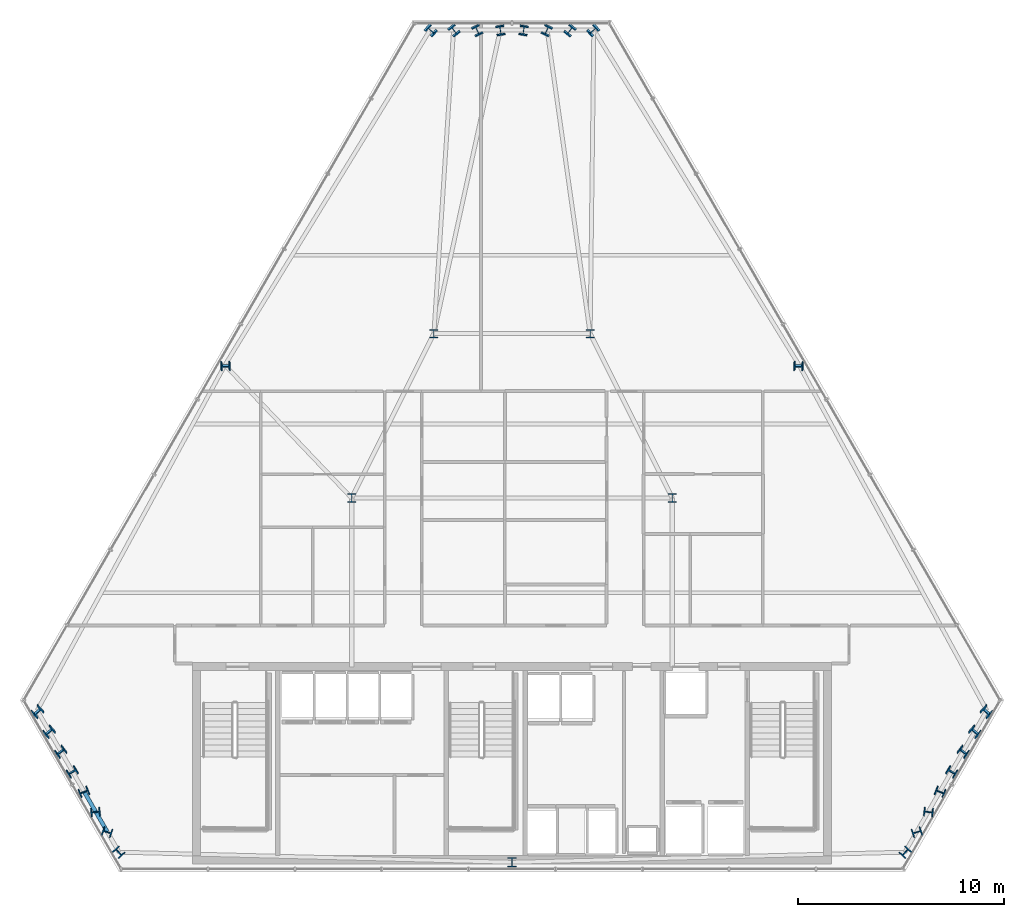
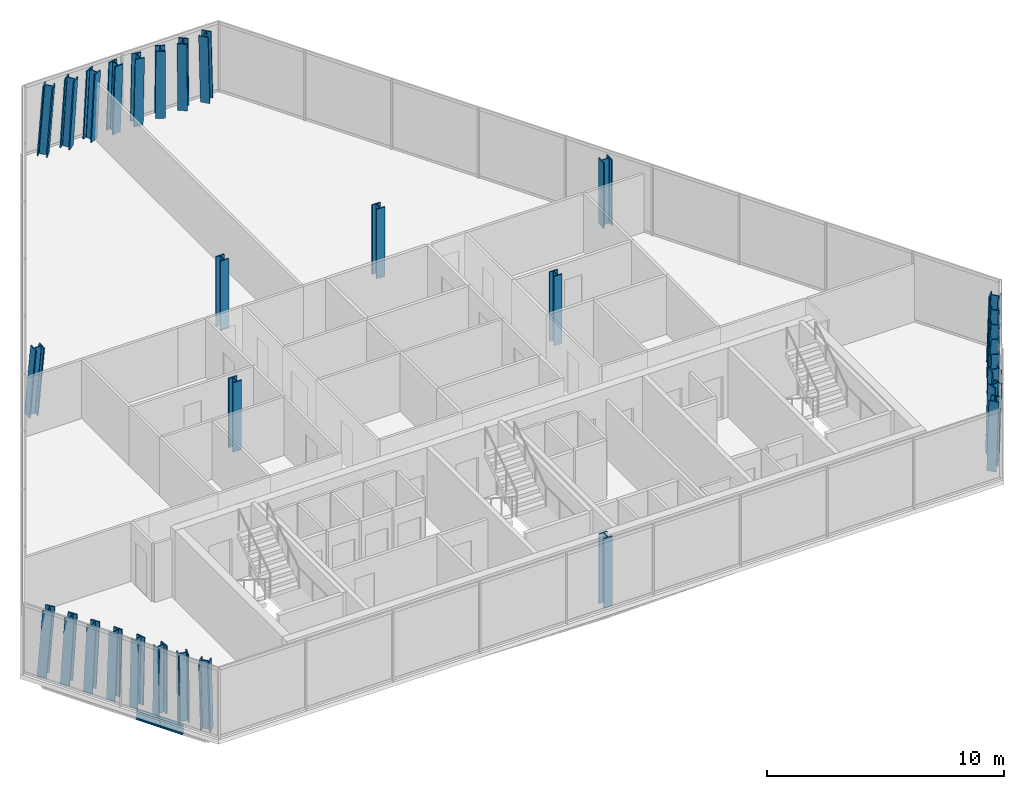
# One storey, part 1 of 33: 31 columns, 2 beams.
"""IFC4 building model written with IfcOpenShell, lengths in metres."""

from ifc_helpers import new_model, si_unit, direction, frame, origin, origin_2d, place, context, subcontext, project, spatial, i_section, extrude, material, material_profile, profile_set, type_object, element, save


model = new_model("IFC4")

# Units and contexts
model_context = context("Model", 3, precision=1e-05, world=origin(), true_north=direction((0.0, 1.0)))
body_context = subcontext(model_context, "Body", "Model", "MODEL_VIEW")
ifc_project = project(units=[si_unit("LENGTHUNIT", "METRE"), si_unit("AREAUNIT", "SQUARE_METRE"), si_unit("VOLUMEUNIT", "CUBIC_METRE"), si_unit("PLANEANGLEUNIT", "RADIAN"), si_unit("MASSUNIT", "GRAM", prefix="KILO")], contexts=[model_context])

# Site, building, storey
site_placement = place(None, origin())
site = spatial("IfcSite", under=ifc_project, at=site_placement, CompositionType="ELEMENT")
building_placement = place(site_placement, origin())
building = spatial("IfcBuilding", under=site, at=building_placement, Name="Ndaravel Arena Tower", CompositionType="ELEMENT")
storey_placement = place(building_placement, frame((0.0, 0.0, 187.800048828125)))
storey = spatial("IfcBuildingStorey", under=building, at=storey_placement, Name="L45", CompositionType="ELEMENT", Elevation=187.800048828125)

# Columns
ifc_material_1 = material(Name="Steel S355", Category="steel")
ifc_material_profile_1 = material_profile(ifc_material_1, i_section(OverallWidth=0.406982421875, OverallDepth=0.4189453125, WebThickness=0.030517578125, FlangeThickness=0.04931640625, FilletRadius=0.01513671875, at=origin_2d()), Name="UC 356x406x393")
ifc_profile_set_1 = profile_set([ifc_material_profile_1], Name="Steel S355")
column_type_1 = type_object("IfcColumnType", Name="COL-INT-UC393", PredefinedType="COLUMN", material=ifc_profile_set_1)
for number, where, z_axis, x_axis, name in (
    (1, (34.199951171875, 23.199951171875, 0.0), (0.0, 0.0, 1.0), (1.0, 0.0, 0.0), "L45 Interior Spine Column IC-01"),
    (2, (49.800048828125, 23.199951171875, 0.0), (0.0, 0.0, 1.0), (1.0, 0.0, 0.0), "L45 Interior Spine Column IC-02"),
    (3, (38.199951171875, 31.199951171875, 0.0), (0.0, 0.0, 1.0), (1.0, 0.0, 0.0), "L45 Interior Spine Column IC-03"),
    (4, (45.800048828125, 31.199951171875, 0.0), (0.0, 0.0, 1.0), (1.0, 0.0, 0.0), "L45 Interior Spine Column IC-04"),
):
    element("IfcColumn", number, at=place(storey_placement, frame(where, z_axis=z_axis, x_axis=x_axis)), inside=storey, type_object=column_type_1, Name=name, PredefinedType="COLUMN", context=body_context, shape_type="SweptSolid", body=[
        extrude(i_section(OverallWidth=0.406982421875, OverallDepth=0.4189453125, WebThickness=0.030517578125, FlangeThickness=0.04931640625, FilletRadius=0.01513671875, at=origin_2d()), origin(), (0.0, 0.0, 1.0), 3.579833984375),
    ])
ifc_material_2 = material(Name="Steel S355", Category="steel")
ifc_material_profile_2 = material_profile(ifc_material_2, i_section(OverallWidth=0.41796875, OverallDepth=0.455078125, WebThickness=0.0419921875, FlangeThickness=0.052001953125, FilletRadius=0.014892578125, at=origin_2d()), Name="HD 400x551")
ifc_profile_set_2 = profile_set([ifc_material_profile_2], Name="Steel S355")
column_type_2 = type_object("IfcColumnType", Name="COL-TUBE-HD551", PredefinedType="COLUMN", material=ifc_profile_set_2)
column_1_placement = place(storey_placement, frame((42.0, 5.47998046875, 0.0), z_axis=(0.0, 0.0, 1.0), x_axis=(1.0, 0.0, 0.0)))
element("IfcColumn", 5, at=column_1_placement, inside=storey, type_object=column_type_2, Name="L45 Framed Tube Column TC-01", PredefinedType="COLUMN", context=body_context, shape_type="SweptSolid", body=[
    extrude(i_section(OverallWidth=0.41796875, OverallDepth=0.455078125, WebThickness=0.0419921875, FlangeThickness=0.052001953125, FilletRadius=0.014892578125, at=origin_2d()), origin(), (0.0, 0.0, 1.0), 3.579833984375),
])
for number, where, z_axis, x_axis, name in (
    (6, (61.113525390625, 5.972412109375, 0.0), (0.028358748226, -0.00633981631, 0.999577704898), (-0.735720059053, 0.676818059602, 0.025165629415), "L45 Framed Tube Column TC-02"),
    (7, (61.68212890625, 6.95751953125, 0.0), (0.020996765348, -0.019156139814, 0.999596007471), (-0.302521060593, 0.952824822049, 0.024614353247), "L45 Framed Tube Column TC-03"),
):
    element("IfcColumn", number, at=place(storey_placement, frame(where, z_axis=z_axis, x_axis=x_axis)), inside=storey, type_object=column_type_2, Name=name, PredefinedType="COLUMN", context=body_context, shape_type="SweptSolid", body=[
        extrude(i_section(OverallWidth=0.41796875, OverallDepth=0.455078125, WebThickness=0.0419921875, FlangeThickness=0.052001953125, FilletRadius=0.014892578125, at=origin_2d()), origin(), (0.0, 0.0, 1.0), 3.581298828125),
    ])
column_2_placement = place(storey_placement, frame((62.250732421875, 7.9423828125, 0.0), z_axis=(0.01369970985, -0.031897831891, 0.999397241476), x_axis=(0.117866406238, 0.992574251622, 0.030064352595)))
element("IfcColumn", 8, at=column_2_placement, inside=storey, type_object=column_type_2, Name="L45 Framed Tube Column TC-04", PredefinedType="COLUMN", context=body_context, shape_type="SweptSolid", body=[
    extrude(i_section(OverallWidth=0.41796875, OverallDepth=0.455078125, WebThickness=0.0419921875, FlangeThickness=0.052001953125, FilletRadius=0.014892578125, at=origin_2d()), origin(), (0.0, 0.0, 1.0), 3.58203125),
])
column_3_placement = place(storey_placement, frame((62.8193359375, 8.92724609375, 0.0), z_axis=(0.006336048975, -0.04462486106, 0.998983721719), x_axis=(0.373417375277, 0.926841853304, 0.039033867422)))
element("IfcColumn", 9, at=column_3_placement, inside=storey, type_object=column_type_2, Name="L45 Framed Tube Column TC-05", PredefinedType="COLUMN", context=body_context, shape_type="SweptSolid", body=[
    extrude(i_section(OverallWidth=0.41796875, OverallDepth=0.455078125, WebThickness=0.0419921875, FlangeThickness=0.052001953125, FilletRadius=0.014892578125, at=origin_2d()), origin(), (0.0, 0.0, 1.0), 3.58349609375),
])
column_4_placement = place(storey_placement, frame((63.38818359375, 9.912109375, 0.0), z_axis=(-0.001089390867, -0.057261107429, 0.998358642374), x_axis=(0.516355625504, 0.854936753282, 0.049598547331)))
element("IfcColumn", 10, at=column_4_placement, inside=storey, type_object=column_type_2, Name="L45 Framed Tube Column TC-06", PredefinedType="COLUMN", context=body_context, shape_type="SweptSolid", body=[
    extrude(i_section(OverallWidth=0.41796875, OverallDepth=0.455078125, WebThickness=0.0419921875, FlangeThickness=0.052001953125, FilletRadius=0.014892578125, at=origin_2d()), origin(), (0.0, 0.0, 1.0), 3.585693359375),
])
column_5_placement = place(storey_placement, frame((63.956787109375, 10.897216796875, 0.0), z_axis=(-0.008435612555, -0.07000197838, 0.997511184631), x_axis=(0.59976191837, 0.797845263112, 0.061062078266)))
element("IfcColumn", 11, at=column_5_placement, inside=storey, type_object=column_type_2, Name="L45 Framed Tube Column TC-07", PredefinedType="COLUMN", context=body_context, shape_type="SweptSolid", body=[
    extrude(i_section(OverallWidth=0.41796875, OverallDepth=0.455078125, WebThickness=0.0419921875, FlangeThickness=0.052001953125, FilletRadius=0.014892578125, at=origin_2d()), origin(), (0.0, 0.0, 1.0), 3.5888671875),
])
column_6_placement = place(storey_placement, frame((64.525390625, 11.882080078125, 0.0), z_axis=(-0.015766049319, -0.082635844708, 0.99645509124), x_axis=(0.652866641696, 0.753961013451, 0.072855599347)))
element("IfcColumn", 12, at=column_6_placement, inside=storey, type_object=column_type_2, Name="L45 Framed Tube Column TC-08", PredefinedType="COLUMN", context=body_context, shape_type="SweptSolid", body=[
    extrude(i_section(OverallWidth=0.41796875, OverallDepth=0.455078125, WebThickness=0.0419921875, FlangeThickness=0.052001953125, FilletRadius=0.014892578125, at=origin_2d()), origin(), (0.0, 0.0, 1.0), 3.592529296875),
])
column_7_placement = place(storey_placement, frame((65.093994140625, 12.866943359375, 0.0), z_axis=(-0.023076047826, -0.095222632645, 0.995188497848), x_axis=(0.688920203921, 0.719853500593, 0.084852167405)))
element("IfcColumn", 13, at=column_7_placement, inside=storey, type_object=column_type_2, Name="L45 Framed Tube Column TC-09", PredefinedType="COLUMN", context=body_context, shape_type="SweptSolid", body=[
    extrude(i_section(OverallWidth=0.41796875, OverallDepth=0.455078125, WebThickness=0.0419921875, FlangeThickness=0.052001953125, FilletRadius=0.014892578125, at=origin_2d()), origin(), (0.0, 0.0, 1.0), 3.59716796875),
])
column_8_placement = place(storey_placement, frame((55.963623046875, 29.666015625, 0.0), z_axis=(-0.042672137749, -0.074064697685, 0.996340057017), x_axis=(-0.002485402633, 0.997253204902, 0.074026131112)))
element("IfcColumn", 14, at=column_8_placement, inside=storey, type_object=column_type_2, Name="L45 Framed Tube Column TC-10", PredefinedType="COLUMN", context=body_context, shape_type="SweptSolid", body=[
    extrude(i_section(OverallWidth=0.41796875, OverallDepth=0.455078125, WebThickness=0.0419921875, FlangeThickness=0.052001953125, FilletRadius=0.014892578125, at=origin_2d()), origin(), (0.0, 0.0, 1.0), 3.593017578125),
])
column_9_placement = place(storey_placement, frame((45.980712890625, 45.97265625, 0.0), z_axis=(-0.051502187105, -0.046467627203, 0.997591241113), x_axis=(0.669885409881, -0.742464502605, 0.0)))
element("IfcColumn", 15, at=column_9_placement, inside=storey, type_object=column_type_2, Name="L45 Framed Tube Column TC-11", PredefinedType="COLUMN", context=body_context, shape_type="SweptSolid", body=[
    extrude(i_section(OverallWidth=0.41796875, OverallDepth=0.455078125, WebThickness=0.0419921875, FlangeThickness=0.052001953125, FilletRadius=0.014892578125, at=origin_2d()), origin(), (0.0, 0.0, 1.0), 3.58837890625),
])
column_10_placement = place(storey_placement, frame((44.84326171875, 45.97265625, 0.0), z_axis=(-0.036762634332, -0.046497924535, 0.998241680021), x_axis=(0.784441580766, -0.620202713929, 0.0)))
element("IfcColumn", 16, at=column_10_placement, inside=storey, type_object=column_type_2, Name="L45 Framed Tube Column TC-12", PredefinedType="COLUMN", context=body_context, shape_type="SweptSolid", body=[
    extrude(i_section(OverallWidth=0.41796875, OverallDepth=0.455078125, WebThickness=0.0419921875, FlangeThickness=0.052001953125, FilletRadius=0.014892578125, at=origin_2d()), origin(), (0.0, 0.0, 1.0), 3.586181640625),
])
column_11_placement = place(storey_placement, frame((43.7060546875, 45.97265625, 0.0), z_axis=(-0.022067126193, -0.046518046882, 0.998673677062), x_axis=(0.903495274276, -0.428598051047, 0.0)))
element("IfcColumn", 17, at=column_11_placement, inside=storey, type_object=column_type_2, Name="L45 Framed Tube Column TC-13", PredefinedType="COLUMN", context=body_context, shape_type="SweptSolid", body=[
    extrude(i_section(OverallWidth=0.41796875, OverallDepth=0.455078125, WebThickness=0.0419921875, FlangeThickness=0.052001953125, FilletRadius=0.014892578125, at=origin_2d()), origin(), (0.0, 0.0, 1.0), 3.58447265625),
])
for number, where, z_axis, x_axis, name in (
    (18, (42.568603515625, 45.97265625, 0.0), (-0.007357301213, -0.046528117857, 0.998889886007), (0.987727763323, -0.156185356426, 0.0), "L45 Framed Tube Column TC-14"),
    (19, (41.431396484375, 45.97265625, 0.0), (0.007357301213, -0.046528117857, 0.998889886007), (0.987727763323, 0.156185356426, 0.0), "L45 Framed Tube Column TC-15"),
):
    element("IfcColumn", number, at=place(storey_placement, frame(where, z_axis=z_axis, x_axis=x_axis)), inside=storey, type_object=column_type_2, Name=name, PredefinedType="COLUMN", context=body_context, shape_type="SweptSolid", body=[
        extrude(i_section(OverallWidth=0.41796875, OverallDepth=0.455078125, WebThickness=0.0419921875, FlangeThickness=0.052001953125, FilletRadius=0.014892578125, at=origin_2d()), origin(), (0.0, 0.0, 1.0), 3.583740234375),
    ])
column_12_placement = place(storey_placement, frame((40.2939453125, 45.97265625, 0.0), z_axis=(0.022067126193, -0.046518046882, 0.998673677062), x_axis=(0.903495274276, 0.428598051047, 0.0)))
element("IfcColumn", 20, at=column_12_placement, inside=storey, type_object=column_type_2, Name="L45 Framed Tube Column TC-16", PredefinedType="COLUMN", context=body_context, shape_type="SweptSolid", body=[
    extrude(i_section(OverallWidth=0.41796875, OverallDepth=0.455078125, WebThickness=0.0419921875, FlangeThickness=0.052001953125, FilletRadius=0.014892578125, at=origin_2d()), origin(), (0.0, 0.0, 1.0), 3.58447265625),
])
column_13_placement = place(storey_placement, frame((39.15673828125, 45.97265625, 0.0), z_axis=(0.036762634332, -0.046497924535, 0.998241680021), x_axis=(0.784441580766, 0.620202713929, 0.0)))
element("IfcColumn", 21, at=column_13_placement, inside=storey, type_object=column_type_2, Name="L45 Framed Tube Column TC-17", PredefinedType="COLUMN", context=body_context, shape_type="SweptSolid", body=[
    extrude(i_section(OverallWidth=0.41796875, OverallDepth=0.455078125, WebThickness=0.0419921875, FlangeThickness=0.052001953125, FilletRadius=0.014892578125, at=origin_2d()), origin(), (0.0, 0.0, 1.0), 3.586181640625),
])
column_14_placement = place(storey_placement, frame((38.019287109375, 45.97265625, 0.0), z_axis=(0.051502187105, -0.046467627203, 0.997591241113), x_axis=(0.669885409881, 0.742464502605, 0.0)))
element("IfcColumn", 22, at=column_14_placement, inside=storey, type_object=column_type_2, Name="L45 Framed Tube Column TC-18", PredefinedType="COLUMN", context=body_context, shape_type="SweptSolid", body=[
    extrude(i_section(OverallWidth=0.41796875, OverallDepth=0.455078125, WebThickness=0.0419921875, FlangeThickness=0.052001953125, FilletRadius=0.014892578125, at=origin_2d()), origin(), (0.0, 0.0, 1.0), 3.58837890625),
])
column_15_placement = place(storey_placement, frame((28.036376953125, 29.666015625, 0.0), z_axis=(0.042672352405, -0.073997120652, 0.996345068977), x_axis=(0.002087206944, 0.997257873333, 0.073975520569)))
element("IfcColumn", 23, at=column_15_placement, inside=storey, type_object=column_type_2, Name="L45 Framed Tube Column TC-19", PredefinedType="COLUMN", context=body_context, shape_type="SweptSolid", body=[
    extrude(i_section(OverallWidth=0.41796875, OverallDepth=0.455078125, WebThickness=0.0419921875, FlangeThickness=0.052001953125, FilletRadius=0.014892578125, at=origin_2d()), origin(), (0.0, 0.0, 1.0), 3.593017578125),
])
column_16_placement = place(storey_placement, frame((18.906005859375, 12.866943359375, 0.0), z_axis=(0.023076047826, -0.095222632645, 0.995188497848), x_axis=(-0.688920203921, 0.719853500593, 0.084852167405)))
element("IfcColumn", 24, at=column_16_placement, inside=storey, type_object=column_type_2, Name="L45 Framed Tube Column TC-20", PredefinedType="COLUMN", context=body_context, shape_type="SweptSolid", body=[
    extrude(i_section(OverallWidth=0.41796875, OverallDepth=0.455078125, WebThickness=0.0419921875, FlangeThickness=0.052001953125, FilletRadius=0.014892578125, at=origin_2d()), origin(), (0.0, 0.0, 1.0), 3.59716796875),
])
column_17_placement = place(storey_placement, frame((19.474609375, 11.882080078125, 0.0), z_axis=(0.015766049319, -0.082635844708, 0.99645509124), x_axis=(-0.652866641696, 0.753961013451, 0.072855599347)))
element("IfcColumn", 25, at=column_17_placement, inside=storey, type_object=column_type_2, Name="L45 Framed Tube Column TC-21", PredefinedType="COLUMN", context=body_context, shape_type="SweptSolid", body=[
    extrude(i_section(OverallWidth=0.41796875, OverallDepth=0.455078125, WebThickness=0.0419921875, FlangeThickness=0.052001953125, FilletRadius=0.014892578125, at=origin_2d()), origin(), (0.0, 0.0, 1.0), 3.592529296875),
])
column_18_placement = place(storey_placement, frame((20.043212890625, 10.897216796875, 0.0), z_axis=(0.008435612555, -0.07000197838, 0.997511184631), x_axis=(-0.59976191837, 0.797845263112, 0.061062078266)))
element("IfcColumn", 26, at=column_18_placement, inside=storey, type_object=column_type_2, Name="L45 Framed Tube Column TC-22", PredefinedType="COLUMN", context=body_context, shape_type="SweptSolid", body=[
    extrude(i_section(OverallWidth=0.41796875, OverallDepth=0.455078125, WebThickness=0.0419921875, FlangeThickness=0.052001953125, FilletRadius=0.014892578125, at=origin_2d()), origin(), (0.0, 0.0, 1.0), 3.5888671875),
])
column_19_placement = place(storey_placement, frame((20.61181640625, 9.912109375, 0.0), z_axis=(0.001089390867, -0.057261107429, 0.998358642374), x_axis=(-0.516355625504, 0.854936753282, 0.049598547331)))
element("IfcColumn", 27, at=column_19_placement, inside=storey, type_object=column_type_2, Name="L45 Framed Tube Column TC-23", PredefinedType="COLUMN", context=body_context, shape_type="SweptSolid", body=[
    extrude(i_section(OverallWidth=0.41796875, OverallDepth=0.455078125, WebThickness=0.0419921875, FlangeThickness=0.052001953125, FilletRadius=0.014892578125, at=origin_2d()), origin(), (0.0, 0.0, 1.0), 3.585693359375),
])
column_20_placement = place(storey_placement, frame((21.1806640625, 8.92724609375, 0.0), z_axis=(-0.006336048975, -0.04462486106, 0.998983721719), x_axis=(-0.373417375277, 0.926841853304, 0.039033867422)))
element("IfcColumn", 28, at=column_20_placement, inside=storey, type_object=column_type_2, Name="L45 Framed Tube Column TC-24", PredefinedType="COLUMN", context=body_context, shape_type="SweptSolid", body=[
    extrude(i_section(OverallWidth=0.41796875, OverallDepth=0.455078125, WebThickness=0.0419921875, FlangeThickness=0.052001953125, FilletRadius=0.014892578125, at=origin_2d()), origin(), (0.0, 0.0, 1.0), 3.58349609375),
])
column_21_placement = place(storey_placement, frame((21.749267578125, 7.9423828125, 0.0), z_axis=(-0.01369970985, -0.031897831891, 0.999397241476), x_axis=(-0.117866406238, 0.992574251622, 0.030064352595)))
element("IfcColumn", 29, at=column_21_placement, inside=storey, type_object=column_type_2, Name="L45 Framed Tube Column TC-25", PredefinedType="COLUMN", context=body_context, shape_type="SweptSolid", body=[
    extrude(i_section(OverallWidth=0.41796875, OverallDepth=0.455078125, WebThickness=0.0419921875, FlangeThickness=0.052001953125, FilletRadius=0.014892578125, at=origin_2d()), origin(), (0.0, 0.0, 1.0), 3.58203125),
])
for number, where, z_axis, x_axis, name in (
    (30, (22.31787109375, 6.95751953125, 0.0), (-0.020996765348, -0.019156139814, 0.999596007471), (0.302521060593, 0.952824822049, 0.024614353247), "L45 Framed Tube Column TC-26"),
    (31, (22.886474609375, 5.972412109375, 0.0), (-0.028358748226, -0.00633981631, 0.999577704898), (0.735720059053, 0.676818059602, 0.025165629415), "L45 Framed Tube Column TC-27"),
):
    element("IfcColumn", number, at=place(storey_placement, frame(where, z_axis=z_axis, x_axis=x_axis)), inside=storey, type_object=column_type_2, Name=name, PredefinedType="COLUMN", context=body_context, shape_type="SweptSolid", body=[
        extrude(i_section(OverallWidth=0.41796875, OverallDepth=0.455078125, WebThickness=0.0419921875, FlangeThickness=0.052001953125, FilletRadius=0.014892578125, at=origin_2d()), origin(), (0.0, 0.0, 1.0), 3.581298828125),
    ])

# Beams
ifc_material_3 = material(Name="Steel S355", Category="steel")
ifc_material_profile_3 = material_profile(ifc_material_3, i_section(OverallWidth=0.18994140625, OverallDepth=0.449951171875, WebThickness=0.009521484375, FlangeThickness=0.0146484375, FilletRadius=0.02099609375, at=origin_2d()), Name="IPE 450")
ifc_profile_set_3 = profile_set([ifc_material_profile_3], Name="Steel S355")
beam_type = type_object("IfcBeamType", Name="BM-SPAN-IPE450", PredefinedType="SPANDREL", material=ifc_profile_set_3)
for number, where, z_axis, x_axis, name in (
    (32, (21.1806640625, 8.92724609375, -0.445068359375), (0.499995010897, -0.866028284225, 0.0), (0.866028284225, 0.499995010897, 0.0), "L45 Perimeter Spandrel Beam SP-24"),
    (33, (21.749267578125, 7.9423828125, -0.445068359375), (0.499995010897, -0.866028284225, 0.0), (0.866028284225, 0.499995010897, 0.0), "L45 Perimeter Spandrel Beam SP-25"),
):
    element("IfcBeam", number, at=place(storey_placement, frame(where, z_axis=z_axis, x_axis=x_axis)), inside=storey, type_object=beam_type, Name=name, PredefinedType="SPANDREL", context=body_context, shape_type="SweptSolid", body=[
        extrude(i_section(OverallWidth=0.18994140625, OverallDepth=0.449951171875, WebThickness=0.009521484375, FlangeThickness=0.0146484375, FilletRadius=0.02099609375, at=origin_2d()), origin(), (0.0, 0.0, 1.0), 1.13720703125),
    ])

save(model, "model.ifc")
